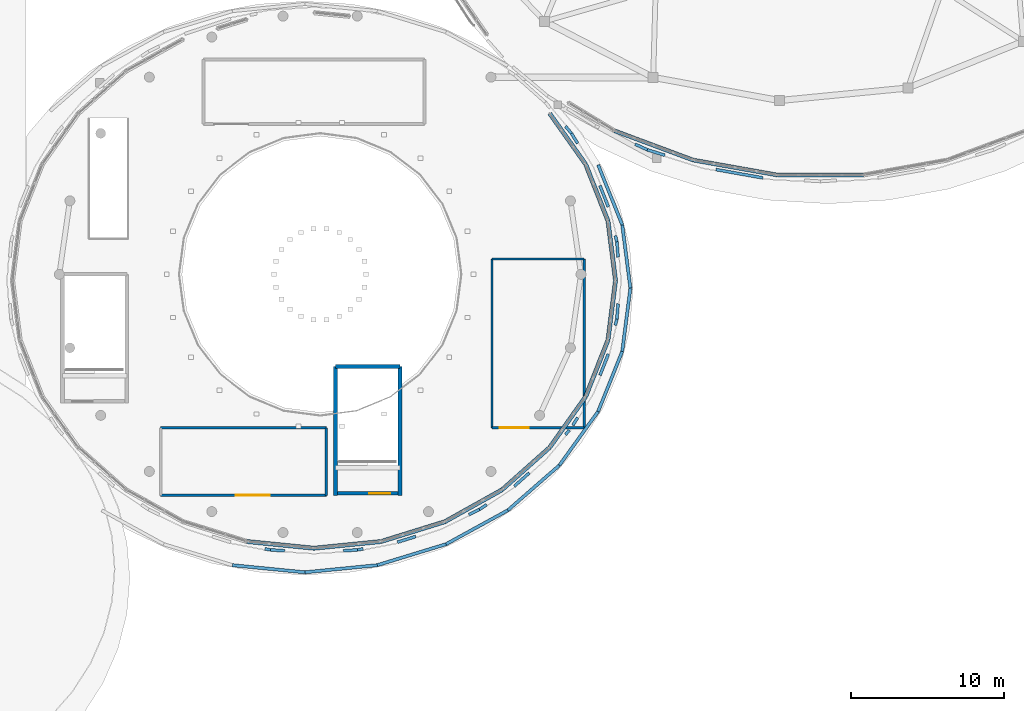
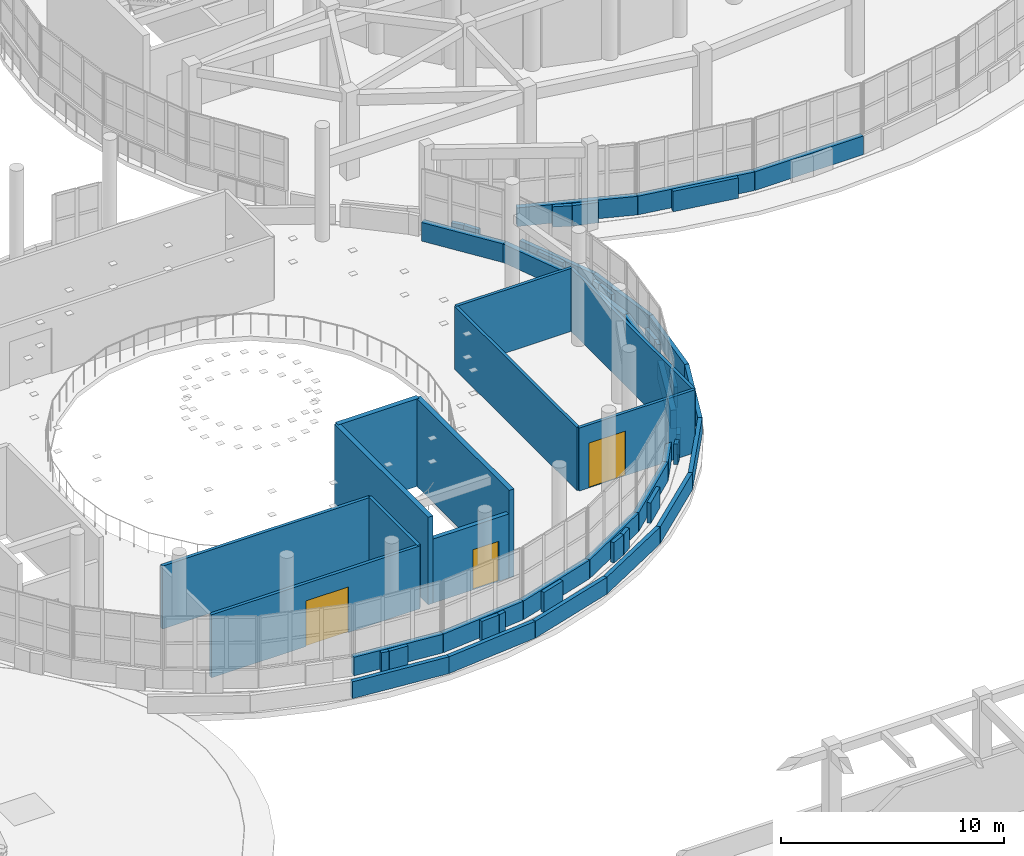
# One storey, part 89 of 105: 56 walls, 3 doors, 3 openings.
"""IFC4 building model written with IfcOpenShell, lengths in metres."""

from ifc_helpers import new_model, si_unit, direction, frame, frame_2d, origin, place, context, subcontext, project, spatial, rectangle, extrude, material, layer, layer_set, type_object, element, fill, save


model = new_model("IFC4")

# Units and contexts
model_context = context("Model", 3, precision=1e-05, world=origin(), true_north=direction((0.0, 1.0)))
body_context = subcontext(model_context, "Body", "Model", "MODEL_VIEW")
ifc_project = project(units=[si_unit("LENGTHUNIT", "METRE"), si_unit("AREAUNIT", "SQUARE_METRE"), si_unit("VOLUMEUNIT", "CUBIC_METRE"), si_unit("PLANEANGLEUNIT", "RADIAN"), si_unit("MASSUNIT", "GRAM", prefix="KILO")], contexts=[model_context])

# Site, building, storey
site_placement = place(None, origin())
site = spatial("IfcSite", under=ifc_project, at=site_placement, CompositionType="ELEMENT")
building_placement = place(site_placement, origin())
building = spatial("IfcBuilding", under=site, at=building_placement, Name="Pelvatis Terrace Science Centre", CompositionType="ELEMENT")
storey_placement = place(building_placement, frame((0.0, 0.0, 10.199951171875)))
storey = spatial("IfcBuildingStorey", under=building, at=storey_placement, Name="L02", CompositionType="ELEMENT", Elevation=10.199951171875)

# Walls
ifc_material_1 = material(Name="White architectural precast concrete C40/50 spandrel", Category="concrete")
ifc_layer_1 = layer(ifc_material_1, 0.260009765625)
ifc_layer_set_1 = layer_set([ifc_layer_1], Name="White architectural precast concrete C40/50 spandrel")
wall_type_1 = type_object("IfcWallType", Name="WL-EXT-SPND-260", PredefinedType="SOLIDWALL", material=ifc_layer_set_1)
wall_1_placement = place(storey_placement, frame((97.175048828125, 63.957763671875, 0.0), z_axis=(0.0, 0.0, 1.0), x_axis=(0.93716995164, -0.348873159964, 0.0)))
element("IfcWall", 1, at=wall_1_placement, inside=storey, type_object=wall_type_1, Name="V1 white spiral spandrel band 21 (L02)", PredefinedType="SOLIDWALL", context=body_context, shape_type="SweptSolid", body=[
    extrude(rectangle(XDim=5.4716796875, YDim=0.260009765625, at=frame_2d((2.73583984375, 0.0))), origin(), (0.0, 0.0, 1.0), 1.02001953125),
])
wall_2_placement = place(storey_placement, frame((102.302978515625, 62.048828125, 0.0), z_axis=(0.0, 0.0, 1.0), x_axis=(0.984570386785, -0.174989009559, 0.0)))
element("IfcWall", 2, at=wall_2_placement, inside=storey, type_object=wall_type_1, Name="V1 white spiral spandrel band 22 (L02)", PredefinedType="SOLIDWALL", context=body_context, shape_type="SweptSolid", body=[
    extrude(rectangle(XDim=5.576416015625, YDim=0.260009765625, at=frame_2d((2.7880859375, 0.0))), origin(), (0.0, 0.0, 1.0), 1.02001953125),
])
wall_3_placement = place(storey_placement, frame((107.79345703125, 61.072998046875, 0.0), z_axis=(0.0, 0.0, 1.0), x_axis=(1.0, 0.0, 0.0)))
element("IfcWall", 3, at=wall_3_placement, inside=storey, type_object=wall_type_1, Name="V1 white spiral spandrel band 23 (L02)", PredefinedType="SOLIDWALL", context=body_context, shape_type="SweptSolid", body=[
    extrude(rectangle(XDim=5.613037109375, YDim=0.260009765625, at=frame_2d((2.806640625, 0.0))), origin(), (0.0, 0.0, 1.0), 1.02001953125),
])
ifc_material_2 = material(Name="White architectural precast concrete C40/50 spandrel", Category="concrete")
ifc_layer_2 = layer(ifc_material_2, 0.27490234375)
ifc_layer_set_2 = layer_set([ifc_layer_2], Name="White architectural precast concrete C40/50 spandrel")
wall_type_2 = type_object("IfcWallType", Name="WL-EXT-SPND-275", PredefinedType="SOLIDWALL", material=ifc_layer_set_2)
wall_4_placement = place(storey_placement, frame((97.25, 54.199951171875, 0.0), z_axis=(0.0, 0.0, 1.0), x_axis=(-0.12586925625, 0.992046838779, 0.0)))
element("IfcWall", 4, at=wall_4_placement, inside=storey, type_object=wall_type_2, Name="V2 white spiral spandrel band 01 (L02)", PredefinedType="SOLIDWALL", context=body_context, shape_type="SweptSolid", body=[
    extrude(rectangle(XDim=3.914306640625, YDim=0.27490234375, at=frame_2d((1.95703125, 0.0))), origin(), (0.0, 0.0, 1.0), 1.02001953125),
])
wall_5_placement = place(storey_placement, frame((96.75732421875, 58.0830078125, 0.0), z_axis=(0.0, 0.0, 1.0), x_axis=(-0.366618216493, 0.93037147599, 0.0)))
element("IfcWall", 5, at=wall_5_placement, inside=storey, type_object=wall_type_2, Name="V2 white spiral spandrel band 02 (L02)", PredefinedType="SOLIDWALL", context=body_context, shape_type="SweptSolid", body=[
    extrude(rectangle(XDim=3.96435546875, YDim=0.27490234375, at=frame_2d((1.982177734375, 0.0))), origin(), (0.0, 0.0, 1.0), 1.02001953125),
])
wall_6_placement = place(storey_placement, frame((95.303955078125, 61.771240234375, 0.0), z_axis=(0.0, 0.0, 1.0), x_axis=(-0.577602786986, 0.816317965297, 0.0)))
element("IfcWall", 6, at=wall_6_placement, inside=storey, type_object=wall_type_2, Name="V2 white spiral spandrel band 03 (L02)", PredefinedType="SOLIDWALL", context=body_context, shape_type="SweptSolid", body=[
    extrude(rectangle(XDim=4.052978515625, YDim=0.27490234375, at=frame_2d((2.0263671875, 0.0))), origin(), (0.0, 0.0, 1.0), 1.02001953125),
])
wall_7_placement = place(storey_placement, frame((73.2275390625, 37.1875, 0.0), z_axis=(0.0, 0.0, 1.0), x_axis=(0.995031687964, -0.099558726121, 0.0)))
element("IfcWall", 7, at=wall_7_placement, inside=storey, type_object=wall_type_2, Name="V2 white spiral spandrel band 21 (L02)", PredefinedType="SOLIDWALL", context=body_context, shape_type="SweptSolid", body=[
    extrude(rectangle(XDim=4.394287109375, YDim=0.27490234375, at=frame_2d((2.197265625, 0.0))), origin(), (0.0, 0.0, 1.0), 1.02001953125),
])
wall_8_placement = place(storey_placement, frame((77.60009765625, 36.75, 0.0), z_axis=(0.0, 0.0, 1.0), x_axis=(0.995031137238, 0.09956423016, 0.0)))
element("IfcWall", 8, at=wall_8_placement, inside=storey, type_object=wall_type_2, Name="V2 white spiral spandrel band 22 (L02)", PredefinedType="SOLIDWALL", context=body_context, shape_type="SweptSolid", body=[
    extrude(rectangle(XDim=4.39404296875, YDim=0.27490234375, at=frame_2d((2.197021484375, 0.0))), origin(), (0.0, 0.0, 1.0), 1.02001953125),
])
wall_9_placement = place(storey_placement, frame((81.972412109375, 37.1875, 0.0), z_axis=(0.0, 0.0, 1.0), x_axis=(0.954962161309, 0.296727603144, 0.0)))
element("IfcWall", 9, at=wall_9_placement, inside=storey, type_object=wall_type_2, Name="V2 white spiral spandrel band 23 (L02)", PredefinedType="SOLIDWALL", context=body_context, shape_type="SweptSolid", body=[
    extrude(rectangle(XDim=4.34912109375, YDim=0.27490234375, at=frame_2d((2.174560546875, 0.0))), origin(), (0.0, 0.0, 1.0), 1.02001953125),
])
wall_10_placement = place(storey_placement, frame((86.125732421875, 38.47802734375, 0.0), z_axis=(0.0, 0.0, 1.0), x_axis=(0.873265085856, 0.487245410266, 0.0)))
element("IfcWall", 10, at=wall_10_placement, inside=storey, type_object=wall_type_2, Name="V2 white spiral spandrel band 24 (L02)", PredefinedType="SOLIDWALL", context=body_context, shape_type="SweptSolid", body=[
    extrude(rectangle(XDim=4.2666015625, YDim=0.27490234375, at=frame_2d((2.13330078125, 0.0))), origin(), (0.0, 0.0, 1.0), 1.02001953125),
])
wall_11_placement = place(storey_placement, frame((89.8515625, 40.556884765625, 0.0), z_axis=(0.0, 0.0, 1.0), x_axis=(0.747700577654, 0.664036027769, 0.0)))
element("IfcWall", 11, at=wall_11_placement, inside=storey, type_object=wall_type_2, Name="V2 white spiral spandrel band 25 (L02)", PredefinedType="SOLIDWALL", context=body_context, shape_type="SweptSolid", body=[
    extrude(rectangle(XDim=4.1611328125, YDim=0.27490234375, at=frame_2d((2.08056640625, 0.0))), origin(), (0.0, 0.0, 1.0), 1.02001953125),
])
wall_12_placement = place(storey_placement, frame((92.962890625, 43.320068359375, 0.0), z_axis=(0.0, 0.0, 1.0), x_axis=(0.577602786986, 0.816317965297, 0.0)))
element("IfcWall", 12, at=wall_12_placement, inside=storey, type_object=wall_type_2, Name="V2 white spiral spandrel band 26 (L02)", PredefinedType="SOLIDWALL", context=body_context, shape_type="SweptSolid", body=[
    extrude(rectangle(XDim=4.052978515625, YDim=0.27490234375, at=frame_2d((2.0263671875, 0.0))), origin(), (0.0, 0.0, 1.0), 1.02001953125),
])
wall_13_placement = place(storey_placement, frame((95.303955078125, 46.628662109375, 0.0), z_axis=(0.0, 0.0, 1.0), x_axis=(0.366618216493, 0.93037147599, 0.0)))
element("IfcWall", 13, at=wall_13_placement, inside=storey, type_object=wall_type_2, Name="V2 white spiral spandrel band 27 (L02)", PredefinedType="SOLIDWALL", context=body_context, shape_type="SweptSolid", body=[
    extrude(rectangle(XDim=3.96435546875, YDim=0.27490234375, at=frame_2d((1.982177734375, 0.0))), origin(), (0.0, 0.0, 1.0), 1.02001953125),
])
wall_14_placement = place(storey_placement, frame((96.75732421875, 50.31689453125, 0.0), z_axis=(0.0, 0.0, 1.0), x_axis=(0.12586925625, 0.992046838779, 0.0)))
element("IfcWall", 14, at=wall_14_placement, inside=storey, type_object=wall_type_2, Name="V2 white spiral spandrel band 28 (L02)", PredefinedType="SOLIDWALL", context=body_context, shape_type="SweptSolid", body=[
    extrude(rectangle(XDim=3.914306640625, YDim=0.27490234375, at=frame_2d((1.95703125, 0.0))), origin(), (0.0, 0.0, 1.0), 1.02001953125),
])

# Wall, opening, door
ifc_material_3 = material(Name="Concrete C35/45 stair enclosure wall", Category="concrete")
ifc_layer_3 = layer(ifc_material_3, 0.22509765625)
ifc_layer_set_3 = layer_set([ifc_layer_3], Name="Concrete C35/45 stair enclosure wall")
wall_type_3 = type_object("IfcWallType", Name="WL-INT-CORE-225", PredefinedType="PARTITIONING", material=ifc_layer_set_3)
wall_15_placement = place(storey_placement, frame((79.139892578125, 40.320068359375, 0.0), z_axis=(0.0, 0.0, 1.0), x_axis=(1.0, 0.0, 0.0)))
wall_15 = element("IfcWall", 15, at=wall_15_placement, inside=storey, type_object=wall_type_3, Name="Stair ST-06 shaft wall S (L02)", PredefinedType="PARTITIONING", context=body_context, shape_type="SweptSolid", body=[
    extrude(rectangle(XDim=3.920166015625, YDim=0.22509765625, at=frame_2d((1.9599609375, 0.0))), origin(), (0.0, 0.0, 1.0), 3.510009765625),
])
opening_1_placement = place(wall_15_placement, frame((2.070068359375, 0.0, 0.0)))
opening_1 = element("IfcOpeningElement", 16, at=opening_1_placement, cuts=wall_15, Name="Opening D-156", PredefinedType="OPENING", context=body_context, shape_type="SweptSolid", body=[
    extrude(rectangle(XDim=1.35009765625, YDim=2.199951171875, at=frame_2d((0.675048828125, 1.10009765625))), frame((0.0, 0.12255859375, 0.0), z_axis=(0.0, -1.0, 0.0), x_axis=(1.0, 0.0, 0.0)), (0.0, 0.0, 1.0), 0.2451171875),
])
ifc_material_4 = material(Name="Steel fire-rated protected stair door", Category="steel")
door_type_1 = type_object("IfcDoorType", Name="DR-STAIR-1350x2200", OperationType="NOTDEFINED", PredefinedType="DOOR", material=ifc_material_4)
door_1_placement = place(opening_1_placement, origin())
door_1 = element("IfcDoor", 17, at=door_1_placement, inside=storey, type_object=door_type_1, Name="Stair ST-06 fire door (L02)", OperationType="SINGLE_SWING_LEFT", OverallHeight=2.199951171875, OverallWidth=1.35009765625, PredefinedType="DOOR", context=body_context, shape_type="SweptSolid", body=[
    extrude(rectangle(XDim=1.35009765625, YDim=2.199951171875, at=frame_2d((0.675048828125, 1.10009765625))), frame((0.0, 0.02490234375, 0.0), z_axis=(0.0, -1.0, 0.0), x_axis=(1.0, 0.0, 0.0)), (0.0, 0.0, 1.0), 0.050048828125),
])
fill(opening_1, door_1)

ifc_material_5 = material(Name="Exhibition gallery display partition", Category="masonry")
ifc_layer_4 = layer(ifc_material_5, 0.155029296875)
ifc_layer_set_4 = layer_set([ifc_layer_4], Name="Exhibition gallery display partition")
wall_type_4 = type_object("IfcWallType", Name="WL-INT-GAL-155", PredefinedType="PARTITIONING", material=ifc_layer_set_4)
wall_16_placement = place(storey_placement, frame((89.199951171875, 44.60009765625, 0.0), z_axis=(0.0, 0.0, 1.0), x_axis=(1.0, 0.0, 0.0)))
wall_16 = element("IfcWall", 18, at=wall_16_placement, inside=storey, type_object=wall_type_4, Name="Mineralogy and Uruguayan Geodes Exhibition Gallery partition wall S", PredefinedType="PARTITIONING", context=body_context, shape_type="SweptSolid", body=[
    extrude(rectangle(XDim=6.0, YDim=0.155029296875, at=frame_2d((3.0, 0.0))), origin(), (0.0, 0.0, 1.0), 3.449951171875),
])
opening_2_placement = place(wall_16_placement, frame((0.5, 0.0, 0.0)))
opening_2 = element("IfcOpeningElement", 19, at=opening_2_placement, cuts=wall_16, Name="Opening D-202", PredefinedType="OPENING", context=body_context, shape_type="SweptSolid", body=[
    extrude(rectangle(XDim=1.89990234375, YDim=2.449951171875, at=frame_2d((0.949951171875, 1.22509765625))), frame((0.0, 0.08740234375, 0.0), z_axis=(0.0, -1.0, 0.0), x_axis=(1.0, 0.0, 0.0)), (0.0, 0.0, 1.0), 0.175048828125),
])
ifc_material_6 = material(Name="Acoustic glazed gallery double door", Category="glass")
door_type_2 = type_object("IfcDoorType", Name="DR-GAL-1900x2450", OperationType="NOTDEFINED", PredefinedType="DOOR", material=ifc_material_6)
door_2_placement = place(opening_2_placement, origin())
door_2 = element("IfcDoor", 20, at=door_2_placement, inside=storey, type_object=door_type_2, Name="Mineralogy and Uruguayan Geodes Exhibition Gallery entrance door", OperationType="DOUBLE_DOOR_SINGLE_SWING", OverallHeight=2.449951171875, OverallWidth=1.89990234375, PredefinedType="DOOR", context=body_context, shape_type="SweptSolid", body=[
    extrude(rectangle(XDim=1.89990234375, YDim=2.449951171875, at=frame_2d((0.949951171875, 1.22509765625))), frame((0.0, 0.02490234375, 0.0), z_axis=(0.0, -1.0, 0.0), x_axis=(1.0, 0.0, 0.0)), (0.0, 0.0, 1.0), 0.050048828125),
])
fill(opening_2, door_2)

# Walls
wall_17_placement = place(storey_placement, frame((95.199951171875, 44.60009765625, 0.0), z_axis=(0.0, 0.0, 1.0), x_axis=(0.0, 1.0, 0.0)))
element("IfcWall", 21, at=wall_17_placement, inside=storey, type_object=wall_type_4, Name="Mineralogy and Uruguayan Geodes Exhibition Gallery partition wall E", PredefinedType="PARTITIONING", context=body_context, shape_type="SweptSolid", body=[
    extrude(rectangle(XDim=11.0, YDim=0.155029296875, at=frame_2d((5.5, 0.0))), origin(), (0.0, 0.0, 1.0), 3.449951171875),
])
wall_18_placement = place(storey_placement, frame((95.199951171875, 55.60009765625, 0.0), z_axis=(0.0, 0.0, 1.0), x_axis=(-1.0, 0.0, 0.0)))
element("IfcWall", 22, at=wall_18_placement, inside=storey, type_object=wall_type_4, Name="Mineralogy and Uruguayan Geodes Exhibition Gallery partition wall N", PredefinedType="PARTITIONING", context=body_context, shape_type="SweptSolid", body=[
    extrude(rectangle(XDim=6.0, YDim=0.155029296875, at=frame_2d((3.0, 0.0))), origin(), (0.0, 0.0, 1.0), 3.449951171875),
])
wall_19_placement = place(storey_placement, frame((89.199951171875, 55.60009765625, 0.0), z_axis=(0.0, 0.0, 1.0), x_axis=(0.0, -1.0, 0.0)))
element("IfcWall", 23, at=wall_19_placement, inside=storey, type_object=wall_type_4, Name="Mineralogy and Uruguayan Geodes Exhibition Gallery partition wall W", PredefinedType="PARTITIONING", context=body_context, shape_type="SweptSolid", body=[
    extrude(rectangle(XDim=11.0, YDim=0.155029296875, at=frame_2d((5.5, 0.0))), origin(), (0.0, 0.0, 1.0), 3.449951171875),
])

# Wall, opening, door
ifc_material_7 = material(Name="Dry studio acoustic partition", Category="masonry")
ifc_layer_5 = layer(ifc_material_7, 0.1650390625)
ifc_layer_set_5 = layer_set([ifc_layer_5], Name="Dry studio acoustic partition")
wall_type_5 = type_object("IfcWallType", Name="WL-INT-LAB-165", PredefinedType="PARTITIONING", material=ifc_layer_set_5)
wall_20_placement = place(storey_placement, frame((67.60009765625, 40.199951171875, 0.0), z_axis=(0.0, 0.0, 1.0), x_axis=(1.0, 0.0, 0.0)))
wall_20 = element("IfcWall", 24, at=wall_20_placement, inside=storey, type_object=wall_type_5, Name="Paleontology Canopy and Biodiversity Overlook Gallery partition wall S", PredefinedType="PARTITIONING", context=body_context, shape_type="SweptSolid", body=[
    extrude(rectangle(XDim=10.7998046875, YDim=0.1650390625, at=frame_2d((5.39990234375, 0.0))), origin(), (0.0, 0.0, 1.0), 3.449951171875),
])
opening_3_placement = place(wall_20_placement, frame((4.89990234375, 0.0, 0.0)))
opening_3 = element("IfcOpeningElement", 25, at=opening_3_placement, cuts=wall_20, Name="Opening D-201", PredefinedType="OPENING", context=body_context, shape_type="SweptSolid", body=[
    extrude(rectangle(XDim=2.199951171875, YDim=2.5, at=frame_2d((1.10009765625, 1.25))), frame((0.0, 0.092529296875, 0.0), z_axis=(0.0, -1.0, 0.0), x_axis=(1.0, 0.0, 0.0)), (0.0, 0.0, 1.0), 0.18505859375),
])
ifc_material_8 = material(Name="Acoustic bronze-and-glass exhibition hall double door", Category="glass")
door_type_3 = type_object("IfcDoorType", Name="DR-GAL-2200x2500", OperationType="NOTDEFINED", PredefinedType="DOOR", material=ifc_material_8)
door_3_placement = place(opening_3_placement, origin())
door_3 = element("IfcDoor", 26, at=door_3_placement, inside=storey, type_object=door_type_3, Name="Paleontology Canopy and Biodiversity Overlook Gallery entrance door", OperationType="DOUBLE_DOOR_SINGLE_SWING", OverallHeight=2.5, OverallWidth=2.199951171875, PredefinedType="DOOR", context=body_context, shape_type="SweptSolid", body=[
    extrude(rectangle(XDim=2.199951171875, YDim=2.5, at=frame_2d((1.10009765625, 1.25))), frame((0.0, 0.02490234375, 0.0), z_axis=(0.0, -1.0, 0.0), x_axis=(1.0, 0.0, 0.0)), (0.0, 0.0, 1.0), 0.050048828125),
])
fill(opening_3, door_3)

# Walls
wall_21_placement = place(storey_placement, frame((78.39990234375, 40.199951171875, 0.0), z_axis=(0.0, 0.0, 1.0), x_axis=(0.0, 1.0, 0.0)))
element("IfcWall", 27, at=wall_21_placement, inside=storey, type_object=wall_type_5, Name="Paleontology Canopy and Biodiversity Overlook Gallery partition wall E", PredefinedType="PARTITIONING", context=body_context, shape_type="SweptSolid", body=[
    extrude(rectangle(XDim=4.400146484375, YDim=0.1650390625, at=frame_2d((2.2001953125, 0.0))), origin(), (0.0, 0.0, 1.0), 3.449951171875),
])
wall_22_placement = place(storey_placement, frame((78.39990234375, 44.60009765625, 0.0), z_axis=(0.0, 0.0, 1.0), x_axis=(-1.0, 0.0, 0.0)))
element("IfcWall", 28, at=wall_22_placement, inside=storey, type_object=wall_type_5, Name="Paleontology Canopy and Biodiversity Overlook Gallery partition wall N", PredefinedType="PARTITIONING", context=body_context, shape_type="SweptSolid", body=[
    extrude(rectangle(XDim=10.7998046875, YDim=0.1650390625, at=frame_2d((5.39990234375, 0.0))), origin(), (0.0, 0.0, 1.0), 3.449951171875),
])
ifc_material_9 = material(Name="White architectural precast concrete C40/50 spandrel parapet", Category="concrete")
ifc_layer_6 = layer(ifc_material_9, 0.18994140625)
ifc_layer_set_6 = layer_set([ifc_layer_6], Name="White architectural precast concrete C40/50 spandrel parapet")
wall_type_6 = type_object("IfcWallType", Name="WL-PAR-190", PredefinedType="PARAPET", material=ifc_layer_set_6)
wall_23_placement = place(storey_placement, frame((106.851806640625, 60.884765625, 0.0), z_axis=(0.0, 0.0, 1.0), x_axis=(-0.984559800953, 0.175048559968, 0.0)))
element("IfcWall", 29, at=wall_23_placement, inside=storey, type_object=wall_type_6, Name="Perimeter edge closure parapet PW-EDG-L02-286", PredefinedType="PARAPET", context=body_context, shape_type="SweptSolid", body=[
    extrude(rectangle(XDim=3.10888671875, YDim=0.18994140625, at=frame_2d((1.554443359375, 0.0))), origin(), (0.0, 0.0, 1.0), 1.1201171875),
])
wall_24_placement = place(storey_placement, frame((100.468994140625, 62.35791015625, 0.0), z_axis=(0.0, 0.0, 1.0), x_axis=(-0.95441125659, 0.298494812844, 0.0)))
element("IfcWall", 30, at=wall_24_placement, inside=storey, type_object=wall_type_6, Name="Perimeter edge closure parapet PW-EDG-L02-287", PredefinedType="PARAPET", context=body_context, shape_type="SweptSolid", body=[
    extrude(rectangle(XDim=1.201416015625, YDim=0.18994140625, at=frame_2d((0.6005859375, 0.0))), origin(), (0.0, 0.0, 1.0), 1.1201171875),
])
wall_25_placement = place(storey_placement, frame((99.322265625, 62.716552734375, 0.0), z_axis=(0.0, 0.0, 1.0), x_axis=(-0.909318572974, 0.416100628268, 0.0)))
element("IfcWall", 31, at=wall_25_placement, inside=storey, type_object=wall_type_6, Name="Perimeter edge closure parapet PW-EDG-L02-288", PredefinedType="PARAPET", context=body_context, shape_type="SweptSolid", body=[
    extrude(rectangle(XDim=0.880126953125, YDim=0.18994140625, at=frame_2d((0.43994140625, 0.0))), origin(), (0.0, 0.0, 1.0), 1.1201171875),
])
wall_26_placement = place(storey_placement, frame((93.989501953125, 64.248046875, 0.0), z_axis=(0.0, 0.0, 1.0), x_axis=(0.643535028364, -0.765416662524, 0.0)))
element("IfcWall", 32, at=wall_26_placement, inside=storey, type_object=wall_type_6, Name="Perimeter edge closure parapet PW-EDG-L02-312", PredefinedType="PARAPET", context=body_context, shape_type="SweptSolid", body=[
    extrude(rectangle(XDim=0.600830078125, YDim=0.18994140625, at=frame_2d((0.30029296875, 0.0))), origin(), (0.0, 0.0, 1.0), 1.1201171875),
])
wall_27_placement = place(storey_placement, frame((94.376220703125, 63.7880859375, 0.0), z_axis=(0.0, 0.0, 1.0), x_axis=(0.523137197973, -0.852248480255, 0.0)))
element("IfcWall", 33, at=wall_27_placement, inside=storey, type_object=wall_type_6, Name="Perimeter edge closure parapet PW-EDG-L02-313", PredefinedType="PARAPET", context=body_context, shape_type="SweptSolid", body=[
    extrude(rectangle(XDim=0.766357421875, YDim=0.18994140625, at=frame_2d((0.38330078125, 0.0))), origin(), (0.0, 0.0, 1.0), 1.1201171875),
])
wall_28_placement = place(storey_placement, frame((96.23583984375, 60.381591796875, 0.0), z_axis=(0.0, 0.0, 1.0), x_axis=(0.366576170824, -0.930388043229, 0.0)))
element("IfcWall", 34, at=wall_28_placement, inside=storey, type_object=wall_type_6, Name="Perimeter edge closure parapet PW-EDG-L02-314", PredefinedType="PARAPET", context=body_context, shape_type="SweptSolid", body=[
    extrude(rectangle(XDim=1.48779296875, YDim=0.18994140625, at=frame_2d((0.743896484375, 0.0))), origin(), (0.0, 0.0, 1.0), 1.1201171875),
])
wall_29_placement = place(storey_placement, frame((97.239501953125, 57.1220703125, 0.0), z_axis=(0.0, 0.0, 1.0), x_axis=(0.237490533889, -0.971389852898, 0.0)))
element("IfcWall", 35, at=wall_29_placement, inside=storey, type_object=wall_type_6, Name="Perimeter edge closure parapet PW-EDG-L02-315", PredefinedType="PARAPET", context=body_context, shape_type="SweptSolid", body=[
    extrude(rectangle(XDim=0.41015625, YDim=0.18994140625, at=frame_2d((0.205078125, 0.0))), origin(), (0.0, 0.0, 1.0), 1.1201171875),
])
for number, where, z_axis, x_axis, name in (
    (36, (97.3369140625, 56.7236328125, 0.0), (0.0, 0.0, 1.0), (0.08026409076, -0.996773633146, 0.0), "Perimeter edge closure parapet PW-EDG-L02-316"),
    (37, (97.41796875, 52.68310546875, 0.0), (0.0, 0.0, 1.0), (-0.08026409076, -0.996773633146, 0.0), "Perimeter edge closure parapet PW-EDG-L02-317"),
):
    element("IfcWall", number, at=place(storey_placement, frame(where, z_axis=z_axis, x_axis=x_axis)), inside=storey, type_object=wall_type_6, Name=name, PredefinedType="PARAPET", context=body_context, shape_type="SweptSolid", body=[
        extrude(rectangle(XDim=1.009765625, YDim=0.18994140625, at=frame_2d((0.5048828125, 0.0))), origin(), (0.0, 0.0, 1.0), 1.1201171875),
    ])
wall_30_placement = place(storey_placement, frame((97.3369140625, 51.676513671875, 0.0), z_axis=(0.0, 0.0, 1.0), x_axis=(-0.237353297355, -0.971423394939, 0.0)))
element("IfcWall", 38, at=wall_30_placement, inside=storey, type_object=wall_type_6, Name="Perimeter edge closure parapet PW-EDG-L02-318", PredefinedType="PARAPET", context=body_context, shape_type="SweptSolid", body=[
    extrude(rectangle(XDim=0.410400390625, YDim=0.18994140625, at=frame_2d((0.205078125, 0.0))), origin(), (0.0, 0.0, 1.0), 1.1201171875),
])
wall_31_placement = place(storey_placement, frame((96.78125, 49.402587890625, 0.0), z_axis=(0.0, 0.0, 1.0), x_axis=(-0.366632142792, -0.930365988132, 0.0)))
element("IfcWall", 39, at=wall_31_placement, inside=storey, type_object=wall_type_6, Name="Perimeter edge closure parapet PW-EDG-L02-319", PredefinedType="PARAPET", context=body_context, shape_type="SweptSolid", body=[
    extrude(rectangle(XDim=1.487548828125, YDim=0.18994140625, at=frame_2d((0.74365234375, 0.0))), origin(), (0.0, 0.0, 1.0), 1.1201171875),
])
wall_32_placement = place(storey_placement, frame((94.777099609375, 45.264892578125, 0.0), z_axis=(0.0, 0.0, 1.0), x_axis=(-0.522975586347, -0.852347661512, 0.0)))
element("IfcWall", 40, at=wall_32_placement, inside=storey, type_object=wall_type_6, Name="Perimeter edge closure parapet PW-EDG-L02-320", PredefinedType="PARAPET", context=body_context, shape_type="SweptSolid", body=[
    extrude(rectangle(XDim=0.59521484375, YDim=0.18994140625, at=frame_2d((0.297607421875, 0.0))), origin(), (0.0, 0.0, 1.0), 1.1201171875),
])
wall_33_placement = place(storey_placement, frame((94.23388671875, 44.4423828125, 0.0), z_axis=(0.0, 0.0, 1.0), x_axis=(-0.644036676585, -0.764994613846, 0.0)))
element("IfcWall", 41, at=wall_33_placement, inside=storey, type_object=wall_type_6, Name="Perimeter edge closure parapet PW-EDG-L02-321", PredefinedType="PARAPET", context=body_context, shape_type="SweptSolid", body=[
    extrude(rectangle(XDim=0.37939453125, YDim=0.18994140625, at=frame_2d((0.189697265625, 0.0))), origin(), (0.0, 0.0, 1.0), 1.1201171875),
])
wall_34_placement = place(storey_placement, frame((91.6328125, 41.660888671875, 0.0), z_axis=(0.0, 0.0, 1.0), x_axis=(-0.747655719659, -0.664086534166, 0.0)))
element("IfcWall", 42, at=wall_34_placement, inside=storey, type_object=wall_type_6, Name="Perimeter edge closure parapet PW-EDG-L02-322", PredefinedType="PARAPET", context=body_context, shape_type="SweptSolid", body=[
    extrude(rectangle(XDim=1.311767578125, YDim=0.18994140625, at=frame_2d((0.65576171875, 0.0))), origin(), (0.0, 0.0, 1.0), 1.1201171875),
])
wall_35_placement = place(storey_placement, frame((88.846923828125, 39.5869140625, 0.0), z_axis=(0.0, 0.0, 1.0), x_axis=(-0.832319631583, -0.554295977688, 0.0)))
element("IfcWall", 43, at=wall_35_placement, inside=storey, type_object=wall_type_6, Name="Perimeter edge closure parapet PW-EDG-L02-323", PredefinedType="PARAPET", context=body_context, shape_type="SweptSolid", body=[
    extrude(rectangle(XDim=0.5576171875, YDim=0.18994140625, at=frame_2d((0.27880859375, 0.0))), origin(), (0.0, 0.0, 1.0), 1.1201171875),
])
wall_36_placement = place(storey_placement, frame((88.3828125, 39.27783203125, 0.0), z_axis=(0.0, 0.0, 1.0), x_axis=(-0.899345505026, -0.437238679202, 0.0)))
element("IfcWall", 44, at=wall_36_placement, inside=storey, type_object=wall_type_6, Name="Perimeter edge closure parapet PW-EDG-L02-324", PredefinedType="PARAPET", context=body_context, shape_type="SweptSolid", body=[
    extrude(rectangle(XDim=0.775634765625, YDim=0.18994140625, at=frame_2d((0.3876953125, 0.0))), origin(), (0.0, 0.0, 1.0), 1.1201171875),
])
wall_37_placement = place(storey_placement, frame((84.2294921875, 37.514404296875, 0.0), z_axis=(0.0, 0.0, 1.0), x_axis=(-0.954989713647, -0.296638916578, 0.0)))
element("IfcWall", 45, at=wall_37_placement, inside=storey, type_object=wall_type_6, Name="Perimeter edge closure parapet PW-EDG-L02-325", PredefinedType="PARAPET", context=body_context, shape_type="SweptSolid", body=[
    extrude(rectangle(XDim=1.249267578125, YDim=0.18994140625, at=frame_2d((0.62451171875, 0.0))), origin(), (0.0, 0.0, 1.0), 1.1201171875),
])
wall_38_placement = place(storey_placement, frame((80.80126953125, 36.7109375, 0.0), z_axis=(0.0, 0.0, 1.0), x_axis=(-0.981831540344, -0.189754647864, 0.0)))
element("IfcWall", 46, at=wall_38_placement, inside=storey, type_object=wall_type_6, Name="Perimeter edge closure parapet PW-EDG-L02-326", PredefinedType="PARAPET", context=body_context, shape_type="SweptSolid", body=[
    extrude(rectangle(XDim=0.369140625, YDim=0.18994140625, at=frame_2d((0.1845703125, 0.0))), origin(), (0.0, 0.0, 1.0), 1.1201171875),
])
wall_39_placement = place(storey_placement, frame((80.438720703125, 36.640869140625, 0.0), z_axis=(0.0, 0.0, 1.0), x_axis=(-0.997978622372, -0.063550525481, 0.0)))
element("IfcWall", 47, at=wall_39_placement, inside=storey, type_object=wall_type_6, Name="Perimeter edge closure parapet PW-EDG-L02-327", PredefinedType="PARAPET", context=body_context, shape_type="SweptSolid", body=[
    extrude(rectangle(XDim=0.93359375, YDim=0.18994140625, at=frame_2d((0.466796875, 0.0))), origin(), (0.0, 0.0, 1.0), 1.1201171875),
])
wall_40_placement = place(storey_placement, frame((75.693115234375, 36.58154296875, 0.0), z_axis=(0.0, 0.0, 1.0), x_axis=(-0.997979678171, 0.063533943357, 0.0)))
element("IfcWall", 48, at=wall_40_placement, inside=storey, type_object=wall_type_6, Name="Perimeter edge closure parapet PW-EDG-L02-328", PredefinedType="PARAPET", context=body_context, shape_type="SweptSolid", body=[
    extrude(rectangle(XDim=0.933837890625, YDim=0.18994140625, at=frame_2d((0.466796875, 0.0))), origin(), (0.0, 0.0, 1.0), 1.1201171875),
])
wall_41_placement = place(storey_placement, frame((74.76123046875, 36.640869140625, 0.0), z_axis=(0.0, 0.0, 1.0), x_axis=(-0.981831540344, 0.189754647864, 0.0)))
element("IfcWall", 49, at=wall_41_placement, inside=storey, type_object=wall_type_6, Name="Perimeter edge closure parapet PW-EDG-L02-329", PredefinedType="PARAPET", context=body_context, shape_type="SweptSolid", body=[
    extrude(rectangle(XDim=0.369140625, YDim=0.18994140625, at=frame_2d((0.1845703125, 0.0))), origin(), (0.0, 0.0, 1.0), 1.1201171875),
])
ifc_material_10 = material(Name="White architectural precast concrete C40/50 spandrel parapet", Category="concrete")
ifc_layer_7 = layer(ifc_material_10, 0.205078125)
ifc_layer_set_7 = layer_set([ifc_layer_7], Name="White architectural precast concrete C40/50 spandrel parapet")
wall_type_7 = type_object("IfcWallType", Name="WL-PAR-205", PredefinedType="PARAPET", material=ifc_layer_set_7)
wall_42_placement = place(storey_placement, frame((98.219970703125, 53.699951171875, 0.0), z_axis=(0.0, 0.0, 1.0), x_axis=(-0.128025400926, 0.991770889227, 0.0)))
element("IfcWall", 50, at=wall_42_placement, inside=storey, type_object=wall_type_7, Name="White spiral ring parapet PW-CRV-L02-097", PredefinedType="PARAPET", context=body_context, shape_type="SweptSolid", body=[
    extrude(rectangle(XDim=4.1552734375, YDim=0.205078125, at=frame_2d((2.07763671875, 0.0))), origin(), (0.0, 0.0, 1.0), 0.920166015625),
])
wall_43_placement = place(storey_placement, frame((97.68798828125, 57.821044921875, 0.0), z_axis=(0.0, 0.0, 1.0), x_axis=(-0.372109184659, 0.92818896497, 0.0)))
element("IfcWall", 51, at=wall_43_placement, inside=storey, type_object=wall_type_7, Name="White spiral ring parapet PW-CRV-L02-098", PredefinedType="PARAPET", context=body_context, shape_type="SweptSolid", body=[
    extrude(rectangle(XDim=4.21728515625, YDim=0.205078125, at=frame_2d((2.108642578125, 0.0))), origin(), (0.0, 0.0, 1.0), 0.920166015625),
])
for number, where, z_axis, x_axis, name in (
    (52, (72.278076171875, 35.644287109375, 0.0), (0.0, 0.0, 1.0), (0.99519938288, -0.097868219132, 0.0), "White spiral ring parapet PW-CRV-L02-108"),
    (53, (77.0, 35.179931640625, 0.0), (0.0, 0.0, 1.0), (0.99519938288, 0.097868219132, 0.0), "White spiral ring parapet PW-CRV-L02-109"),
):
    element("IfcWall", number, at=place(storey_placement, frame(where, z_axis=z_axis, x_axis=x_axis)), inside=storey, type_object=wall_type_7, Name=name, PredefinedType="PARAPET", context=body_context, shape_type="SweptSolid", body=[
        extrude(rectangle(XDim=4.74462890625, YDim=0.205078125, at=frame_2d((2.372314453125, 0.0))), origin(), (0.0, 0.0, 1.0), 0.920166015625),
    ])
wall_44_placement = place(storey_placement, frame((81.721923828125, 35.644287109375, 0.0), z_axis=(0.0, 0.0, 1.0), x_axis=(0.956385915661, 0.292106111413, 0.0)))
element("IfcWall", 54, at=wall_44_placement, inside=storey, type_object=wall_type_7, Name="White spiral ring parapet PW-CRV-L02-110", PredefinedType="PARAPET", context=body_context, shape_type="SweptSolid", body=[
    extrude(rectangle(XDim=4.689697265625, YDim=0.205078125, at=frame_2d((2.3447265625, 0.0))), origin(), (0.0, 0.0, 1.0), 0.920166015625),
])
wall_45_placement = place(storey_placement, frame((86.20703125, 37.01416015625, 0.0), z_axis=(0.0, 0.0, 1.0), x_axis=(0.876821815184, 0.480815457756, 0.0)))
element("IfcWall", 55, at=wall_45_placement, inside=storey, type_object=wall_type_7, Name="White spiral ring parapet PW-CRV-L02-111", PredefinedType="PARAPET", context=body_context, shape_type="SweptSolid", body=[
    extrude(rectangle(XDim=4.588623046875, YDim=0.205078125, at=frame_2d((2.29443359375, 0.0))), origin(), (0.0, 0.0, 1.0), 0.920166015625),
])
wall_46_placement = place(storey_placement, frame((90.23046875, 39.220458984375, 0.0), z_axis=(0.0, 0.0, 1.0), x_axis=(0.7534069066, 0.657554585634, 0.0)))
element("IfcWall", 56, at=wall_46_placement, inside=storey, type_object=wall_type_7, Name="White spiral ring parapet PW-CRV-L02-112", PredefinedType="PARAPET", context=body_context, shape_type="SweptSolid", body=[
    extrude(rectangle(XDim=4.4599609375, YDim=0.205078125, at=frame_2d((2.22998046875, 0.0))), origin(), (0.0, 0.0, 1.0), 0.920166015625),
])
wall_47_placement = place(storey_placement, frame((93.590576171875, 42.153076171875, 0.0), z_axis=(0.0, 0.0, 1.0), x_axis=(0.584276483475, 0.811554675212, 0.0)))
element("IfcWall", 57, at=wall_47_placement, inside=storey, type_object=wall_type_7, Name="White spiral ring parapet PW-CRV-L02-113", PredefinedType="PARAPET", context=body_context, shape_type="SweptSolid", body=[
    extrude(rectangle(XDim=4.326904296875, YDim=0.205078125, at=frame_2d((2.16357421875, 0.0))), origin(), (0.0, 0.0, 1.0), 0.920166015625),
])
wall_48_placement = place(storey_placement, frame((96.11865234375, 45.66455078125, 0.0), z_axis=(0.0, 0.0, 1.0), x_axis=(0.372129179722, 0.928180948738, 0.0)))
element("IfcWall", 58, at=wall_48_placement, inside=storey, type_object=wall_type_7, Name="White spiral ring parapet PW-CRV-L02-114", PredefinedType="PARAPET", context=body_context, shape_type="SweptSolid", body=[
    extrude(rectangle(XDim=4.21728515625, YDim=0.205078125, at=frame_2d((2.108642578125, 0.0))), origin(), (0.0, 0.0, 1.0), 0.920166015625),
])
wall_49_placement = place(storey_placement, frame((97.68798828125, 49.578857421875, 0.0), z_axis=(0.0, 0.0, 1.0), x_axis=(0.128025400926, 0.991770889227, 0.0)))
element("IfcWall", 59, at=wall_49_placement, inside=storey, type_object=wall_type_7, Name="White spiral ring parapet PW-CRV-L02-115", PredefinedType="PARAPET", context=body_context, shape_type="SweptSolid", body=[
    extrude(rectangle(XDim=4.1552734375, YDim=0.205078125, at=frame_2d((2.07763671875, 0.0))), origin(), (0.0, 0.0, 1.0), 0.920166015625),
])
ifc_material_11 = material(Name="Concrete C40/50", Category="concrete")
ifc_layer_8 = layer(ifc_material_11, 0.25)
ifc_layer_set_8 = layer_set([ifc_layer_8], Name="Concrete C40/50")
wall_type_8 = type_object("IfcWallType", Name="WL-SHR-250", PredefinedType="SHEAR", material=ifc_layer_set_8)
wall_50_placement = place(storey_placement, frame((79.0, 48.60009765625, 0.0), z_axis=(0.0, 0.0, 1.0), x_axis=(1.0, 0.0, 0.0)))
element("IfcWall", 60, at=wall_50_placement, inside=storey, type_object=wall_type_8, Name="Stair ST-06 structural wall N (L02)", PredefinedType="SHEAR", context=body_context, shape_type="SweptSolid", body=[
    extrude(rectangle(XDim=4.199951171875, YDim=0.25, at=frame_2d((2.10009765625, 0.0))), origin(), (0.0, 0.0, 1.0), 4.800048828125),
])
for number, where, z_axis, x_axis, name in (
    (61, (79.0, 40.199951171875, 0.0), (0.0, 0.0, 1.0), (0.0, 1.0, 0.0), "Stair ST-06 structural wall W (L02)"),
    (62, (83.199951171875, 40.199951171875, 0.0), (0.0, 0.0, 1.0), (0.0, 1.0, 0.0), "Stair ST-06 structural wall E (L02)"),
):
    element("IfcWall", number, at=place(storey_placement, frame(where, z_axis=z_axis, x_axis=x_axis)), inside=storey, type_object=wall_type_8, Name=name, PredefinedType="SHEAR", context=body_context, shape_type="SweptSolid", body=[
        extrude(rectangle(XDim=8.400146484375, YDim=0.25, at=frame_2d((4.2001953125, 0.0))), origin(), (0.0, 0.0, 1.0), 4.800048828125),
    ])

save(model, "model.ifc")
